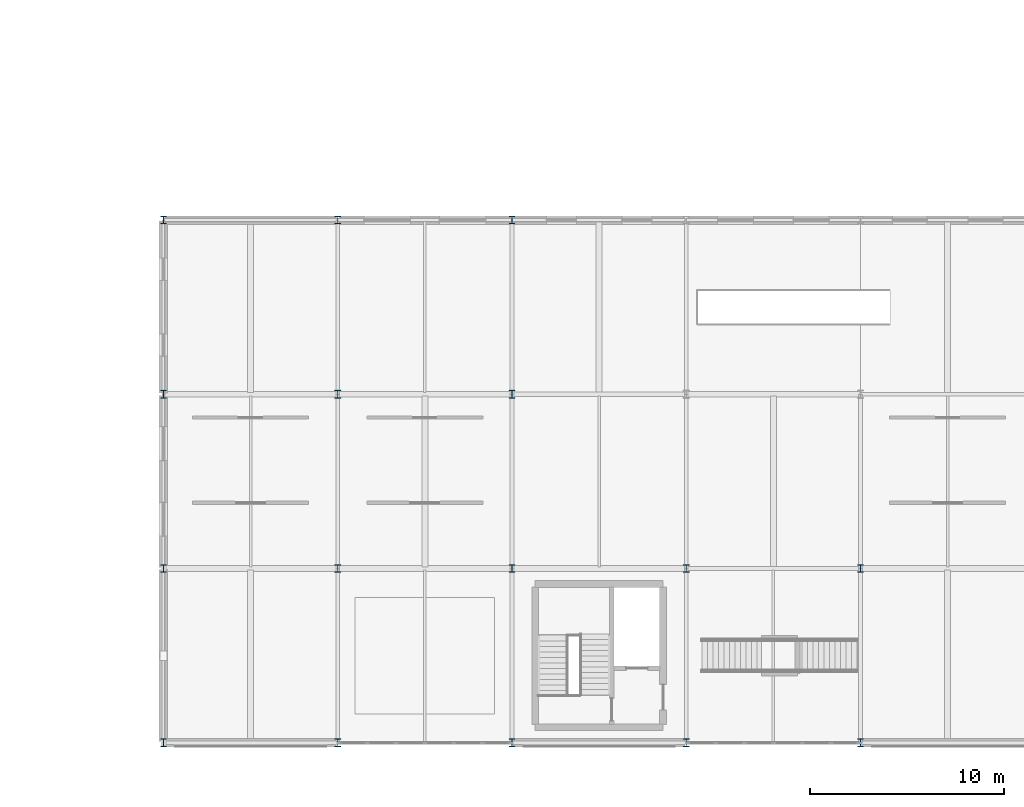
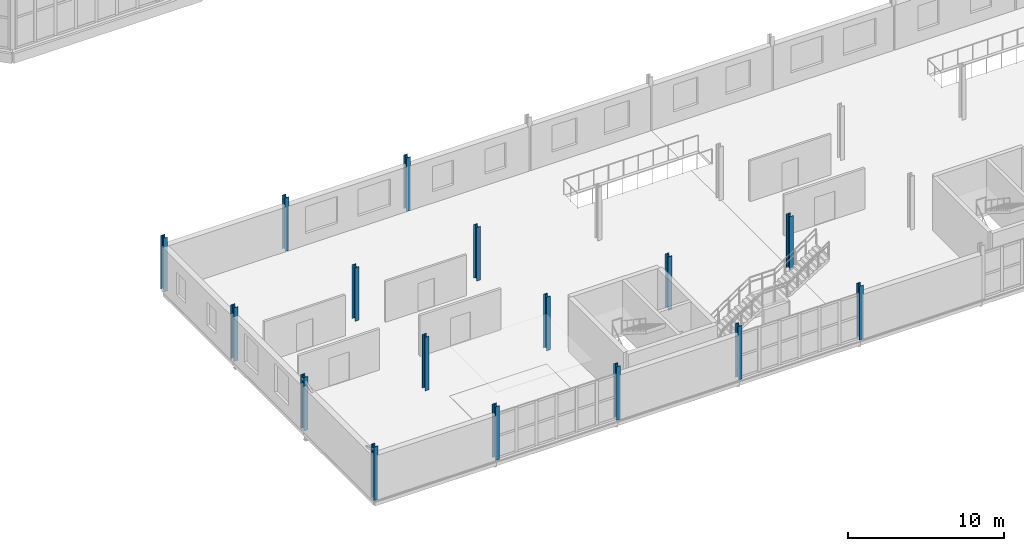
# One storey, part 1 of 161: 16 columns.
"""IFC4 building model written with IfcOpenShell, lengths in metres."""

import ifcopenshell
import ifcopenshell.guid

model = None  # the IFC model being written
_history = None  # IfcOwnerHistory: only IFC2X3 demands one
_inside = {}  # id of a spatial element -> (the spatial element, [elements in it])
_under = {}  # id of a project, library or spatial element -> (it, [spatial elements below it])
_declared = {}  # id of a project -> (the project, [libraries it declares])
_typed = {}  # id of a type object -> (the type object, [elements of that type])
_made_of = {}  # id of a material, layer set ... -> (it, [elements and type objects made of it])


def new_model(schema):
    """Start an empty IFC model of exactly this schema.

    Asked for "IFC4X3", IfcOpenShell would pick the latest addendum, in which some entities
    have other attributes; the version numbers below select the first issue.
    IFC2X3 requires an IfcOwnerHistory on every rooted entity: one is made here for all.
    """
    global model, _history
    if schema == "IFC4X3":
        model = ifcopenshell.file(schema_version=(4, 3, 0, 0))
    else:
        model = ifcopenshell.file(schema=schema)
    _inside.clear()
    _under.clear()
    _declared.clear()
    _typed.clear()
    _made_of.clear()
    _history = None
    if model.schema == "IFC2X3":
        org = make("IfcOrganization", Name="unknown")
        user = make(
            "IfcPersonAndOrganization",
            ThePerson=make("IfcPerson", FamilyName="unknown"),
            TheOrganization=org,
        )
        app = make(
            "IfcApplication",
            ApplicationDeveloper=org,
            Version="unknown",
            ApplicationFullName="unknown",
            ApplicationIdentifier="unknown",
        )
        _history = make(
            "IfcOwnerHistory",
            OwningUser=user,
            OwningApplication=app,
            ChangeAction="ADDED",
            CreationDate=0,
        )
    return model


def make(cls, **values):
    """One entity of the class cls with the attributes given. An attribute that is None is left unset."""
    return model.create_entity(
        cls, **{name: value for name, value in values.items() if value is not None}
    )


def rooted(cls, **values):
    """An entity with a GlobalId (a new one), such as an element, a storey or a relation."""
    return make(cls, GlobalId=ifcopenshell.guid.new(), OwnerHistory=_history, **values)


def si_unit(unit_type, name, prefix=None):
    """IfcSIUnit, for example si_unit("LENGTHUNIT", "METRE", prefix="MILLI")."""
    return make("IfcSIUnit", UnitType=unit_type, Prefix=prefix, Name=name)


def assignment(units):
    """IfcUnitAssignment: the units of a project."""
    return None if units is None else make("IfcUnitAssignment", Units=units)


def point(xyz):
    """IfcCartesianPoint."""
    return None if xyz is None else make("IfcCartesianPoint", Coordinates=xyz)


def direction(xyz):
    """IfcDirection."""
    return None if xyz is None else make("IfcDirection", DirectionRatios=xyz)


def frame(location, z_axis=None, x_axis=None):
    """IfcAxis2Placement3D, a coordinate frame: its origin and axes. An axis left out is left unset."""
    return make(
        "IfcAxis2Placement3D",
        Location=point(location),
        Axis=direction(z_axis),
        RefDirection=direction(x_axis),
    )


def frame_2d(location, x_axis=None):
    """IfcAxis2Placement2D, a coordinate frame in the plane: its origin and x axis."""
    return make(
        "IfcAxis2Placement2D", Location=point(location), RefDirection=direction(x_axis)
    )


def origin():
    """The frame at (0, 0, 0) with its axes left unset."""
    return frame((0.0, 0.0, 0.0))


def origin_2d():
    """The frame at (0, 0) in the plane with its x axis left unset."""
    return frame_2d((0.0, 0.0))


def place(relative_to, where):
    """IfcLocalPlacement: puts the frame where relative to a parent placement (None: the world)."""
    return make(
        "IfcLocalPlacement", PlacementRelTo=relative_to, RelativePlacement=where
    )


def context(
    kind, dimensions, precision=None, world=None, true_north=None, identifier=None
):
    """IfcGeometricRepresentationContext, for example the 3D "Model" context."""
    return make(
        "IfcGeometricRepresentationContext",
        ContextIdentifier=identifier,
        ContextType=kind,
        CoordinateSpaceDimension=dimensions,
        Precision=precision,
        WorldCoordinateSystem=world,
        TrueNorth=true_north,
    )


def subcontext(parent, identifier, kind, view, scale=None):
    """IfcGeometricRepresentationSubContext, for example "Body" below "Model"."""
    return make(
        "IfcGeometricRepresentationSubContext",
        ContextIdentifier=identifier,
        ContextType=kind,
        ParentContext=parent,
        TargetScale=scale,
        TargetView=view,
    )


def project(units=None, contexts=None):
    """IfcProject with its units and contexts."""
    return rooted(
        "IfcProject",
        Name="project",
        RepresentationContexts=contexts,
        UnitsInContext=assignment(units),
    )


def spatial(cls, under=None, at=None, **own):
    """A site, building, storey or space (cls), placed at a placement, below another one or the project."""
    s = rooted(cls, ObjectPlacement=at, **own)
    if under is not None:
        _under.setdefault(under.id(), (under, []))[1].append(s)
    return s


def profile(cls, at=None, kind="AREA", **sizes):
    """A parametric profile (cls). Its sizes go by their IFC names, for example OverallWidth=200.0."""
    return make(cls, ProfileType=kind, Position=at, **sizes)


def i_section(**sizes):
    """IfcIShapeProfileDef."""
    return profile("IfcIShapeProfileDef", **sizes)


def extrude(swept, where, along, depth):
    """IfcExtrudedAreaSolid: the profile swept, set in the frame where, extruded along a direction by depth."""
    return make(
        "IfcExtrudedAreaSolid",
        SweptArea=swept,
        Position=where,
        ExtrudedDirection=direction(along),
        Depth=depth,
    )


def shape(context_of_items, identifier, shape_type, items):
    """IfcShapeRepresentation: the items that make up one representation, for example the "Body"."""
    return make(
        "IfcShapeRepresentation",
        ContextOfItems=context_of_items,
        RepresentationIdentifier=identifier,
        RepresentationType=shape_type,
        Items=items,
    )


def material(Name=None, Category=None):
    """IfcMaterial."""
    return make("IfcMaterial", Name=Name, Category=Category)


def material_profile(
    of_material, cross_section, Name=None, Category=None, Priority=None
):
    """IfcMaterialProfile: a cross section and its material."""
    return make(
        "IfcMaterialProfile",
        Name=Name,
        Material=of_material,
        Profile=cross_section,
        Priority=Priority,
        Category=Category,
    )


def profile_set(profiles, Name=None, composite=None):
    """IfcMaterialProfileSet."""
    return make(
        "IfcMaterialProfileSet",
        Name=Name,
        MaterialProfiles=profiles,
        CompositeProfile=composite,
    )


def made_of(thing, what):
    """Note that an element or type object is made of a material, layer set ...; save() writes the relation."""
    if what is not None:
        _made_of.setdefault(what.id(), (what, []))[1].append(thing)
    return thing


def type_object(cls, material=None, **own):
    """A type object (cls), such as IfcWallType, which elements share."""
    return made_of(rooted(cls, **own), material)


def element(
    cls,
    number,
    at=None,
    inside=None,
    cuts=None,
    type_object=None,
    material=None,
    context=None,
    identifier="Body",
    shape_type=None,
    held_by="IfcProductDefinitionShape",
    body=None,
    shapes=None,
    **own,
):
    """One element of the class cls, such as IfcWall. Its Tag is "e" and its number.

    at: its placement. inside: the storey or other place that contains it. cuts: it is an
    opening in that element (IfcRelVoidsElement). A single representation is given by context,
    identifier, shape_type and body (its items); several are given by shapes. held_by: the class
    of the entity that holds the representations. save() writes the other relations.
    """
    e = rooted(cls, Tag="e%d" % number, ObjectPlacement=at, **own)
    if body is not None:
        shapes = [shape(context, identifier, shape_type, body)]
    if shapes is not None:
        e.Representation = make(held_by, Representations=shapes)
    if inside is not None:
        _inside.setdefault(inside.id(), (inside, []))[1].append(e)
    if cuts is not None:
        rooted(
            "IfcRelVoidsElement", RelatingBuildingElement=cuts, RelatedOpeningElement=e
        )
    if type_object is not None:
        _typed.setdefault(type_object.id(), (type_object, []))[1].append(e)
    return made_of(e, material)


def aggregate(whole, parts):
    """IfcRelAggregates: a whole, such as a stair, and the parts it consists of."""
    return rooted("IfcRelAggregates", RelatingObject=whole, RelatedObjects=parts)


def save(model, path):
    """Write the relations noted so far, then the file.

    IfcRelAggregates (storeys below a building ...), IfcRelContainedInSpatialStructure (elements
    in a storey), IfcRelDefinesByType, IfcRelAssociatesMaterial and IfcRelDeclares: one each for
    every whole, place, type object, material and project.
    """
    for whole, parts in _under.values():
        aggregate(whole, parts)
    for where, things in _inside.values():
        rooted(
            "IfcRelContainedInSpatialStructure",
            RelatedElements=things,
            RelatingStructure=where,
        )
    for kind, things in _typed.values():
        rooted("IfcRelDefinesByType", RelatedObjects=things, RelatingType=kind)
    for what, things in _made_of.values():
        rooted("IfcRelAssociatesMaterial", RelatedObjects=things, RelatingMaterial=what)
    for by, libraries in _declared.values():
        rooted("IfcRelDeclares", RelatingContext=by, RelatedDefinitions=libraries)
    model.write(path)


model = new_model("IFC4")

# Units and contexts
model_context = context("Model", 3, precision=1e-05, world=origin(), true_north=direction((0.0, 1.0)))
body_context = subcontext(model_context, "Body", "Model", "MODEL_VIEW")
ifc_project = project(units=[si_unit("LENGTHUNIT", "METRE"), si_unit("AREAUNIT", "SQUARE_METRE"), si_unit("VOLUMEUNIT", "CUBIC_METRE"), si_unit("PLANEANGLEUNIT", "RADIAN"), si_unit("MASSUNIT", "GRAM", prefix="KILO")], contexts=[model_context])

# Site, building, storey
site_placement = place(None, origin())
site = spatial("IfcSite", under=ifc_project, at=site_placement, CompositionType="ELEMENT")
building_placement = place(site_placement, origin())
building = spatial("IfcBuilding", under=site, at=building_placement, Name="Kildeholm Park Wholesale Market", CompositionType="ELEMENT")
storey_placement = place(building_placement, frame((0.0, 0.0, 5.39990234375)))
storey = spatial("IfcBuildingStorey", under=building, at=storey_placement, Name="L01", CompositionType="ELEMENT", Elevation=5.39990234375)

# Columns
ifc_material = material(Name="Steel S355", Category="steel")
ifc_material_profile = material_profile(ifc_material, i_section(OverallWidth=0.300048828125, OverallDepth=0.39990234375, WebThickness=0.013427734375, FlangeThickness=0.02392578125, FilletRadius=0.027099609375, at=origin_2d()), Name="HEB 400")
ifc_profile_set = profile_set([ifc_material_profile], Name="Steel S355")
column_type = type_object("IfcColumnType", Name="Column C-S05 HEB 400", PredefinedType="COLUMN", material=ifc_profile_set)
for number, where, z_axis, x_axis, name in (
    (1, (9.0, 0.0, 0.0), (0.0, 0.0, 1.0), (1.0, 0.0, 0.0), "Column V5W-009-000 L01 COL-0641"),
    (2, (9.0, 9.0, 0.0), (0.0, 0.0, 1.0), (1.0, 0.0, 0.0), "Column V5W-009-009 L01 COL-0644"),
    (3, (9.0, 18.0, 0.0), (0.0, 0.0, 1.0), (1.0, 0.0, 0.0), "Column V5W-009-018 L01 COL-0647"),
    (4, (9.0, 27.0, 0.0), (0.0, 0.0, 1.0), (1.0, 0.0, 0.0), "Column V5W-009-027 L01 COL-0650"),
    (5, (18.0, 0.0, 0.0), (0.0, 0.0, 1.0), (1.0, 0.0, 0.0), "Column V5W-018-000 L01 COL-0652"),
    (6, (18.0, 9.0, 0.0), (0.0, 0.0, 1.0), (1.0, 0.0, 0.0), "Column V5W-018-009 L01 COL-0656"),
    (7, (18.0, 18.0, 0.0), (0.0, 0.0, 1.0), (1.0, 0.0, 0.0), "Column V5W-018-018 L01 COL-0660"),
    (8, (18.0, 27.0, 0.0), (0.0, 0.0, 1.0), (1.0, 0.0, 0.0), "Column V5W-018-027 L01 COL-0664"),
    (9, (27.0, 0.0, 0.0), (0.0, 0.0, 1.0), (1.0, 0.0, 0.0), "Column V5W-027-000 L01 COL-0666"),
    (10, (27.0, 9.0, 0.0), (0.0, 0.0, 1.0), (1.0, 0.0, 0.0), "Column V5W-027-009 L01 COL-0670"),
    (11, (27.0, 18.0, 0.0), (0.0, 0.0, 1.0), (1.0, 0.0, 0.0), "Column V5W-027-018 L01 COL-0674"),
    (12, (27.0, 27.0, 0.0), (0.0, 0.0, 1.0), (1.0, 0.0, 0.0), "Column V5W-027-027 L01 COL-0678"),
    (13, (36.0, 0.0, 0.0), (0.0, 0.0, 1.0), (1.0, 0.0, 0.0), "Column V5W-036-000 L01 COL-0680"),
    (14, (36.0, 9.0, 0.0), (0.0, 0.0, 1.0), (1.0, 0.0, 0.0), "Column V5W-036-009 L01 COL-0684"),
    (15, (45.0, 0.0, 0.0), (0.0, 0.0, 1.0), (1.0, 0.0, 0.0), "Column V5W-045-000 L01 COL-0694"),
    (16, (45.0, 9.0, 0.0), (0.0, 0.0, 1.0), (1.0, 0.0, 0.0), "Column V5W-045-009 L01 COL-0698"),
):
    element("IfcColumn", number, at=place(storey_placement, frame(where, z_axis=z_axis, x_axis=x_axis)), inside=storey, type_object=column_type, Name=name, PredefinedType="COLUMN", context=body_context, shape_type="SweptSolid", body=[
        extrude(i_section(OverallWidth=0.300048828125, OverallDepth=0.39990234375, WebThickness=0.013427734375, FlangeThickness=0.02392578125, FilletRadius=0.027099609375, at=origin_2d()), origin(), (0.0, 0.0, 1.0), 4.2001953125),
    ])

save(model, "model.ifc")
